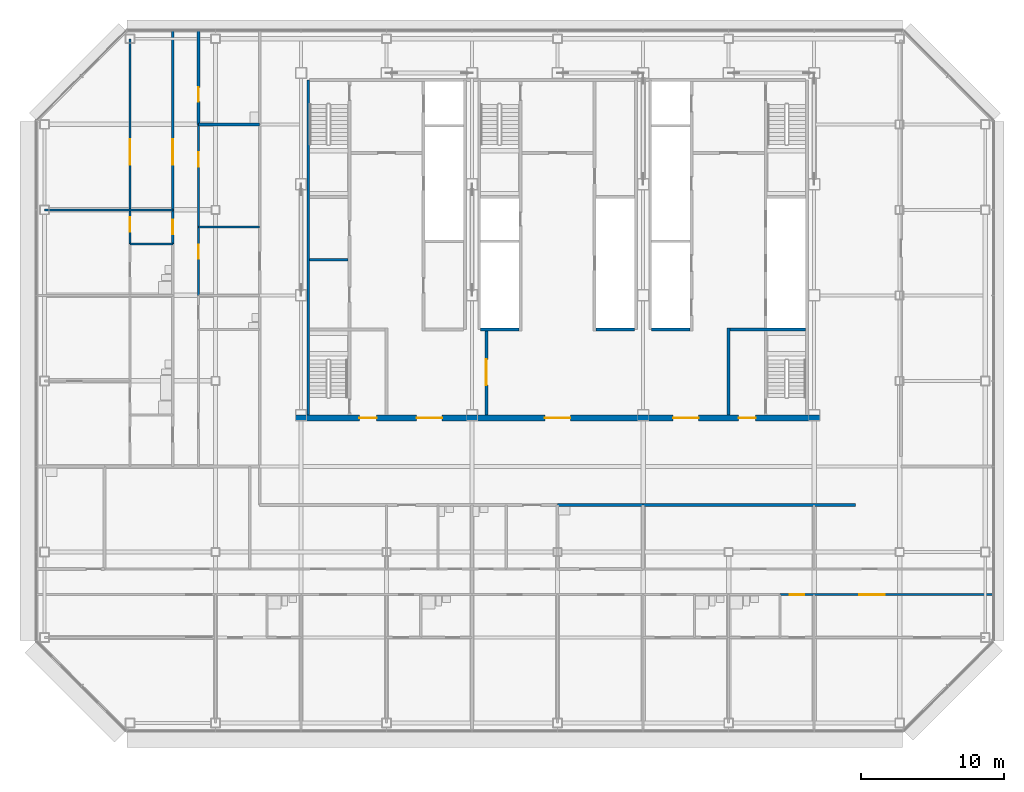
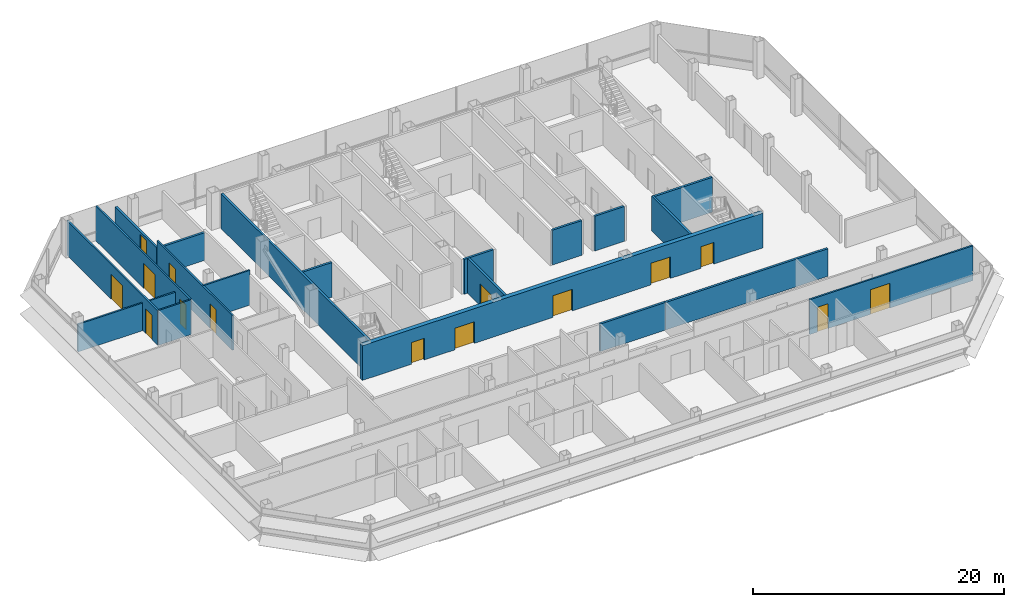
# One storey, part 22 of 27: 20 walls, 15 doors, 15 openings.
"""IFC4 building model written with IfcOpenShell, lengths in metres."""

from ifc_helpers import new_model, si_unit, direction, frame, frame_2d, origin, place, context, subcontext, project, spatial, rectangle, extrude, material, layer, layer_set, type_object, element, fill, save


model = new_model("IFC4")

# Units and contexts
model_context = context("Model", 3, precision=1e-05, world=origin(), true_north=direction((0.0, 1.0)))
body_context = subcontext(model_context, "Body", "Model", "MODEL_VIEW")
ifc_project = project(units=[si_unit("LENGTHUNIT", "METRE"), si_unit("AREAUNIT", "SQUARE_METRE"), si_unit("VOLUMEUNIT", "CUBIC_METRE"), si_unit("PLANEANGLEUNIT", "RADIAN"), si_unit("MASSUNIT", "GRAM", prefix="KILO")], contexts=[model_context])

# Site, building, storey
site_placement = place(None, origin())
site = spatial("IfcSite", under=ifc_project, at=site_placement, CompositionType="ELEMENT")
building_placement = place(site_placement, origin())
building = spatial("IfcBuilding", under=site, at=building_placement, Name="Sorahane Residences", CompositionType="ELEMENT")
storey_placement = place(building_placement, frame((0.0, 0.0, 206.39990234375)))
storey = spatial("IfcBuildingStorey", under=building, at=storey_placement, Name="L48", CompositionType="ELEMENT", Elevation=206.39990234375)

# Walls
ifc_material_1 = material(Name="Concrete C30", Category="concrete")
ifc_layer_1 = layer(ifc_material_1, 0.199951171875)
ifc_layer_set_1 = layer_set([ifc_layer_1], Name="Core face wall 200 EI 180")
wall_type_1 = type_object("IfcWallType", Name="Core face wall 200 EI 180", PredefinedType="SOLIDWALL", material=ifc_layer_set_1)
wall_1_placement = place(storey_placement, frame((6.5, 21.60009765625, 0.0), z_axis=(0.0, 0.0, 1.0), x_axis=(0.0, 1.0, 0.0)))
element("IfcWall", 1, at=wall_1_placement, inside=storey, type_object=wall_type_1, Name="L48 core face wall", PredefinedType="SOLIDWALL", context=body_context, shape_type="SweptSolid", body=[
    extrude(rectangle(XDim=23.5, YDim=0.199951171875, at=frame_2d((11.75, 0.0))), origin(), (0.0, 0.0, 1.0), 3.380126953125),
])
ifc_material_2 = material(Name="Concrete blockwork C20 wall", Category="masonry")
ifc_layer_2 = layer(ifc_material_2, 0.199951171875)
ifc_layer_set_2 = layer_set([ifc_layer_2], Name="Corridor wall 200 EI 120")
wall_type_2 = type_object("IfcWallType", Name="Corridor wall 200 EI 120", PredefinedType="SOLIDWALL", material=ifc_layer_set_2)
wall_2_placement = place(storey_placement, frame((30.0, 15.300048828125, 0.0), z_axis=(0.0, 0.0, 1.0), x_axis=(1.0, 0.0, 0.0)))
element("IfcWall", 2, at=wall_2_placement, inside=storey, type_object=wall_type_2, Name="L48 corridor wall", PredefinedType="SOLIDWALL", context=body_context, shape_type="SweptSolid", body=[
    extrude(rectangle(XDim=14.89990234375, YDim=0.199951171875, at=frame_2d((7.449951171875, 0.0))), origin(), (0.0, 0.0, 1.0), 2.68017578125),
])
ifc_material_3 = material(Name="Concrete C30", Category="concrete")
ifc_layer_3 = layer(ifc_material_3, 0.199951171875)
ifc_layer_set_3 = layer_set([ifc_layer_3], Name="Front room wall 200 EI 120")
wall_type_3 = type_object("IfcWallType", Name="Front room wall 200 EI 120", PredefinedType="PARTITIONING", material=ifc_layer_set_3)
wall_3_placement = place(storey_placement, frame((36.0, 21.60009765625, 0.0), z_axis=(0.0, 0.0, 1.0), x_axis=(0.0, 1.0, 0.0)))
element("IfcWall", 3, at=wall_3_placement, inside=storey, type_object=wall_type_3, Name="L48 front room wall", PredefinedType="PARTITIONING", context=body_context, shape_type="SweptSolid", body=[
    extrude(rectangle(XDim=6.099853515625, YDim=0.199951171875, at=frame_2d((3.0498046875, 0.0))), origin(), (0.0, 0.0, 1.0), 3.380126953125),
])

# Wall, opening, door
ifc_material_4 = material(Name="Concrete blockwork C20 wall", Category="masonry")
ifc_layer_4 = layer(ifc_material_4, 0.199951171875)
ifc_layer_set_4 = layer_set([ifc_layer_4], Name="Kitchen wall 200 EI 180")
wall_type_4 = type_object("IfcWallType", Name="Kitchen wall 200 EI 180", PredefinedType="SOLIDWALL", material=ifc_layer_set_4)
wall_4_placement = place(storey_placement, frame((-1.199951171875, 42.0, 0.0), z_axis=(0.0, 0.0, 1.0), x_axis=(0.0, 1.0, 0.0)))
wall_4 = element("IfcWall", 4, at=wall_4_placement, inside=storey, type_object=wall_type_4, Name="L48 kitchen wall", PredefinedType="SOLIDWALL", context=body_context, shape_type="SweptSolid", body=[
    extrude(rectangle(XDim=6.60009765625, YDim=0.199951171875, at=frame_2d((3.300048828125, 0.0))), origin(), (0.0, 0.0, 1.0), 2.68017578125),
])
opening_1_placement = place(wall_4_placement, frame((1.60009765625, 0.0, 0.0)))
opening_1 = element("IfcOpeningElement", 5, at=opening_1_placement, cuts=wall_4, Name="Opening L48-34", PredefinedType="OPENING", context=body_context, shape_type="SweptSolid", body=[
    extrude(rectangle(XDim=1.0, YDim=2.39990234375, at=frame_2d((0.5, 1.199951171875))), frame((0.0, 0.10986328125, 0.0), z_axis=(0.0, -1.0, 0.0), x_axis=(1.0, 0.0, 0.0)), (0.0, 0.0, 1.0), 0.219970703125),
])
ifc_material_5 = material(Name="Steel", Category="steel")
door_type_1 = type_object("IfcDoorType", Name="Kitchen door 1000x2400 FD120", OperationType="NOTDEFINED", PredefinedType="DOOR", material=ifc_material_5)
door_1_placement = place(opening_1_placement, frame((1.0, 0.0, 0.0), z_axis=(0.0, 0.0, 1.0), x_axis=(-1.0, 0.0, 0.0)))
door_1 = element("IfcDoor", 6, at=door_1_placement, inside=storey, type_object=door_type_1, Name="Kitchen door L48-34", OperationType="SINGLE_SWING_LEFT", OverallHeight=2.39990234375, OverallWidth=1.0, PredefinedType="DOOR", context=body_context, shape_type="SweptSolid", body=[
    extrude(rectangle(XDim=1.0, YDim=2.39990234375, at=frame_2d((0.5, 1.199951171875))), frame((0.0, 0.02490234375, 0.0), z_axis=(0.0, -1.0, 0.0), x_axis=(1.0, 0.0, 0.0)), (0.0, 0.0, 1.0), 0.050048828125),
])
fill(opening_1, door_1)

# Walls
wall_5_placement = place(storey_placement, frame((24.0, 15.300048828125, 0.0), z_axis=(0.0, 0.0, 1.0), x_axis=(1.0, 0.0, 0.0)))
element("IfcWall", 7, at=wall_5_placement, inside=storey, type_object=wall_type_4, Name="L48 kitchen wall", PredefinedType="SOLIDWALL", context=body_context, shape_type="SweptSolid", body=[
    extrude(rectangle(XDim=6.0, YDim=0.199951171875, at=frame_2d((3.0, 0.0))), origin(), (0.0, 0.0, 1.0), 2.68017578125),
])
wall_6_placement = place(storey_placement, frame((-1.199951171875, 42.0, 0.0), z_axis=(0.0, 0.0, 1.0), x_axis=(1.0, 0.0, 0.0)))
element("IfcWall", 8, at=wall_6_placement, inside=storey, type_object=wall_type_4, Name="L48 kitchen wall", PredefinedType="SOLIDWALL", context=body_context, shape_type="SweptSolid", body=[
    extrude(rectangle(XDim=4.300048828125, YDim=0.199951171875, at=frame_2d((2.14990234375, 0.0))), origin(), (0.0, 0.0, 1.0), 2.68017578125),
])
ifc_material_6 = material(Name="Concrete C30", Category="concrete")
ifc_layer_5 = layer(ifc_material_6, 0.199951171875)
ifc_layer_set_5 = layer_set([ifc_layer_5], Name="Lift shaft wall 200 EI 120")
wall_type_5 = type_object("IfcWallType", Name="Lift shaft wall 200 EI 120", PredefinedType="SOLIDWALL", material=ifc_layer_set_5)
for number, where, z_axis, x_axis, name in (
    (9, (18.60009765625, 27.60009765625, 0.0), (0.0, 0.0, 1.0), (1.0, 0.0, 0.0), "L48 lift shaft wall"),
    (10, (30.60009765625, 27.60009765625, 0.0), (0.0, 0.0, 1.0), (1.0, 0.0, 0.0), "L48 lift shaft wall"),
):
    element("IfcWall", number, at=place(storey_placement, frame(where, z_axis=z_axis, x_axis=x_axis)), inside=storey, type_object=wall_type_5, Name=name, PredefinedType="SOLIDWALL", context=body_context, shape_type="SweptSolid", body=[
        extrude(rectangle(XDim=2.699951171875, YDim=0.199951171875, at=frame_2d((1.35009765625, 0.0))), origin(), (0.0, 0.0, 1.0), 3.380126953125),
    ])

# Wall, openings, doors
ifc_material_7 = material(Name="Gypsum board partition on steel studs", Category="steel")
ifc_layer_6 = layer(ifc_material_7, 0.14990234375)
ifc_layer_set_6 = layer_set([ifc_layer_6], Name="Partition 150 EI 90")
wall_type_6 = type_object("IfcWallType", Name="Partition 150 EI 90", PredefinedType="PARTITIONING", material=ifc_layer_set_6)
wall_7_placement = place(storey_placement, frame((-1.199951171875, 30.0, 0.0), z_axis=(0.0, 0.0, 1.0), x_axis=(0.0, 1.0, 0.0)))
wall_7 = element("IfcWall", 11, at=wall_7_placement, inside=storey, type_object=wall_type_6, Name="L48 partition", PredefinedType="PARTITIONING", context=body_context, shape_type="SweptSolid", body=[
    extrude(rectangle(XDim=12.0, YDim=0.14990234375, at=frame_2d((6.0, 0.0))), origin(), (0.0, 0.0, 1.0), 3.380126953125),
])
opening_2_placement = place(wall_7_placement, frame((2.56005859375, 0.0, 0.0)))
opening_2 = element("IfcOpeningElement", 12, at=opening_2_placement, cuts=wall_7, Name="Opening L48-30", PredefinedType="OPENING", context=body_context, shape_type="SweptSolid", body=[
    extrude(rectangle(XDim=1.0, YDim=2.39990234375, at=frame_2d((0.5, 1.199951171875))), frame((0.0, 0.0849609375, 0.0), z_axis=(0.0, -1.0, 0.0), x_axis=(1.0, 0.0, 0.0)), (0.0, 0.0, 1.0), 0.169921875),
])
opening_3_placement = place(wall_7_placement, frame((9.0400390625, 0.0, 0.0)))
opening_3 = element("IfcOpeningElement", 13, at=opening_3_placement, cuts=wall_7, Name="Opening L48-33", PredefinedType="OPENING", context=body_context, shape_type="SweptSolid", body=[
    extrude(rectangle(XDim=1.0, YDim=2.39990234375, at=frame_2d((0.5, 1.199951171875))), frame((0.0, 0.0849609375, 0.0), z_axis=(0.0, -1.0, 0.0), x_axis=(1.0, 0.0, 0.0)), (0.0, 0.0, 1.0), 0.169921875),
])
ifc_material_8 = material(Name="Timber veneered fire door", Category="wood")
door_type_2 = type_object("IfcDoorType", Name="Room door 1000x2400 FD30", OperationType="NOTDEFINED", PredefinedType="DOOR", material=ifc_material_8)
door_2_placement = place(opening_2_placement, origin())
door_2 = element("IfcDoor", 14, at=door_2_placement, inside=storey, type_object=door_type_2, Name="Room door L48-30", OperationType="SINGLE_SWING_LEFT", OverallHeight=2.39990234375, OverallWidth=1.0, PredefinedType="DOOR", context=body_context, shape_type="SweptSolid", body=[
    extrude(rectangle(XDim=1.0, YDim=2.39990234375, at=frame_2d((0.5, 1.199951171875))), frame((0.0, 0.02490234375, 0.0), z_axis=(0.0, -1.0, 0.0), x_axis=(1.0, 0.0, 0.0)), (0.0, 0.0, 1.0), 0.050048828125),
])
fill(opening_2, door_2)
door_3_placement = place(opening_3_placement, frame((1.0, 0.0, 0.0), z_axis=(0.0, 0.0, 1.0), x_axis=(-1.0, 0.0, 0.0)))
door_3 = element("IfcDoor", 15, at=door_3_placement, inside=storey, type_object=door_type_2, Name="Room door L48-33", OperationType="SINGLE_SWING_LEFT", OverallHeight=2.39990234375, OverallWidth=1.0, PredefinedType="DOOR", context=body_context, shape_type="SweptSolid", body=[
    extrude(rectangle(XDim=1.0, YDim=2.39990234375, at=frame_2d((0.5, 1.199951171875))), frame((0.0, 0.02490234375, 0.0), z_axis=(0.0, -1.0, 0.0), x_axis=(1.0, 0.0, 0.0)), (0.0, 0.0, 1.0), 0.050048828125),
])
fill(opening_3, door_3)

wall_8_placement = place(storey_placement, frame((-3.0, 33.60009765625, 0.0), z_axis=(0.0, 0.0, 1.0), x_axis=(0.0, 1.0, 0.0)))
wall_8 = element("IfcWall", 16, at=wall_8_placement, inside=storey, type_object=wall_type_6, Name="L48 partition", PredefinedType="PARTITIONING", context=body_context, shape_type="SweptSolid", body=[
    extrude(rectangle(XDim=15.0, YDim=0.14990234375, at=frame_2d((7.5, 0.0))), origin(), (0.0, 0.0, 1.0), 3.380126953125),
])
opening_4_placement = place(wall_8_placement, frame((0.699951171875, 0.0, 0.0)))
opening_4 = element("IfcOpeningElement", 17, at=opening_4_placement, cuts=wall_8, Name="Opening L48-36", PredefinedType="OPENING", context=body_context, shape_type="SweptSolid", body=[
    extrude(rectangle(XDim=1.0, YDim=2.39990234375, at=frame_2d((0.5, 1.199951171875))), frame((0.0, 0.0849609375, 0.0), z_axis=(0.0, -1.0, 0.0), x_axis=(1.0, 0.0, 0.0)), (0.0, 0.0, 1.0), 0.169921875),
])
opening_5_placement = place(wall_8_placement, frame((5.56005859375, 0.0, 0.0)))
opening_5 = element("IfcOpeningElement", 18, at=opening_5_placement, cuts=wall_8, Name="Opening L48-37", PredefinedType="OPENING", context=body_context, shape_type="SweptSolid", body=[
    extrude(rectangle(XDim=1.800048828125, YDim=2.39990234375, at=frame_2d((0.89990234375, 1.199951171875))), frame((0.0, 0.0849609375, 0.0), z_axis=(0.0, -1.0, 0.0), x_axis=(1.0, 0.0, 0.0)), (0.0, 0.0, 1.0), 0.169921875),
])
ifc_material_9 = material(Name="Timber veneered fire door", Category="wood")
door_type_3 = type_object("IfcDoorType", Name="Double door 1800x2400 FD30", OperationType="NOTDEFINED", PredefinedType="DOOR", material=ifc_material_9)
door_4_placement = place(opening_5_placement, origin())
door_4 = element("IfcDoor", 19, at=door_4_placement, inside=storey, type_object=door_type_3, Name="Double door L48-37", OperationType="SINGLE_SWING_LEFT", OverallHeight=2.39990234375, OverallWidth=1.800048828125, PredefinedType="DOOR", context=body_context, shape_type="SweptSolid", body=[
    extrude(rectangle(XDim=1.800048828125, YDim=2.39990234375, at=frame_2d((0.89990234375, 1.199951171875))), frame((0.0, 0.02490234375, 0.0), z_axis=(0.0, -1.0, 0.0), x_axis=(1.0, 0.0, 0.0)), (0.0, 0.0, 1.0), 0.050048828125),
])
fill(opening_5, door_4)
door_5_placement = place(opening_4_placement, origin())
door_5 = element("IfcDoor", 20, at=door_5_placement, inside=storey, type_object=door_type_2, Name="Room door L48-36", OperationType="SINGLE_SWING_LEFT", OverallHeight=2.39990234375, OverallWidth=1.0, PredefinedType="DOOR", context=body_context, shape_type="SweptSolid", body=[
    extrude(rectangle(XDim=1.0, YDim=2.39990234375, at=frame_2d((0.5, 1.199951171875))), frame((0.0, 0.02490234375, 0.0), z_axis=(0.0, -1.0, 0.0), x_axis=(1.0, 0.0, 0.0)), (0.0, 0.0, 1.0), 0.050048828125),
])
fill(opening_4, door_5)

wall_9_placement = place(storey_placement, frame((-6.0, 33.60009765625, 0.0), z_axis=(0.0, 0.0, 1.0), x_axis=(0.0, 1.0, 0.0)))
wall_9 = element("IfcWall", 21, at=wall_9_placement, inside=storey, type_object=wall_type_6, Name="L48 partition", PredefinedType="PARTITIONING", context=body_context, shape_type="SweptSolid", body=[
    extrude(rectangle(XDim=14.39990234375, YDim=0.14990234375, at=frame_2d((7.199951171875, 0.0))), origin(), (0.0, 0.0, 1.0), 3.380126953125),
])
opening_6_placement = place(wall_9_placement, frame((0.8798828125, 0.0, 0.0)))
opening_6 = element("IfcOpeningElement", 22, at=opening_6_placement, cuts=wall_9, Name="Opening L48-41", PredefinedType="OPENING", context=body_context, shape_type="SweptSolid", body=[
    extrude(rectangle(XDim=1.0, YDim=2.39990234375, at=frame_2d((0.5, 1.199951171875))), frame((0.0, 0.0849609375, 0.0), z_axis=(0.0, -1.0, 0.0), x_axis=(1.0, 0.0, 0.0)), (0.0, 0.0, 1.0), 0.169921875),
])
opening_7_placement = place(wall_9_placement, frame((5.56005859375, 0.0, 0.0)))
opening_7 = element("IfcOpeningElement", 23, at=opening_7_placement, cuts=wall_9, Name="Opening L48-43", PredefinedType="OPENING", context=body_context, shape_type="SweptSolid", body=[
    extrude(rectangle(XDim=1.800048828125, YDim=2.39990234375, at=frame_2d((0.89990234375, 1.199951171875))), frame((0.0, 0.0849609375, 0.0), z_axis=(0.0, -1.0, 0.0), x_axis=(1.0, 0.0, 0.0)), (0.0, 0.0, 1.0), 0.169921875),
])
door_6_placement = place(opening_7_placement, origin())
door_6 = element("IfcDoor", 24, at=door_6_placement, inside=storey, type_object=door_type_3, Name="Double door L48-43", OperationType="SINGLE_SWING_LEFT", OverallHeight=2.39990234375, OverallWidth=1.800048828125, PredefinedType="DOOR", context=body_context, shape_type="SweptSolid", body=[
    extrude(rectangle(XDim=1.800048828125, YDim=2.39990234375, at=frame_2d((0.89990234375, 1.199951171875))), frame((0.0, 0.02490234375, 0.0), z_axis=(0.0, -1.0, 0.0), x_axis=(1.0, 0.0, 0.0)), (0.0, 0.0, 1.0), 0.050048828125),
])
fill(opening_7, door_6)
door_7_placement = place(opening_6_placement, origin())
door_7 = element("IfcDoor", 25, at=door_7_placement, inside=storey, type_object=door_type_2, Name="Room door L48-41", OperationType="SINGLE_SWING_RIGHT", OverallHeight=2.39990234375, OverallWidth=1.0, PredefinedType="DOOR", context=body_context, shape_type="SweptSolid", body=[
    extrude(rectangle(XDim=1.0, YDim=2.39990234375, at=frame_2d((0.5, 1.199951171875))), frame((0.0, 0.02490234375, 0.0), z_axis=(0.0, -1.0, 0.0), x_axis=(1.0, 0.0, 0.0)), (0.0, 0.0, 1.0), 0.050048828125),
])
fill(opening_6, door_7)

# Walls
wall_10_placement = place(storey_placement, frame((-1.199951171875, 34.800048828125, 0.0), z_axis=(0.0, 0.0, 1.0), x_axis=(1.0, 0.0, 0.0)))
element("IfcWall", 26, at=wall_10_placement, inside=storey, type_object=wall_type_6, Name="L48 partition", PredefinedType="PARTITIONING", context=body_context, shape_type="SweptSolid", body=[
    extrude(rectangle(XDim=4.300048828125, YDim=0.14990234375, at=frame_2d((2.14990234375, 0.0))), origin(), (0.0, 0.0, 1.0), 3.380126953125),
])
wall_11_placement = place(storey_placement, frame((-12.0, 36.0, 0.0), z_axis=(0.0, 0.0, 1.0), x_axis=(1.0, 0.0, 0.0)))
element("IfcWall", 27, at=wall_11_placement, inside=storey, type_object=wall_type_6, Name="L48 partition", PredefinedType="PARTITIONING", context=body_context, shape_type="SweptSolid", body=[
    extrude(rectangle(XDim=9.0, YDim=0.14990234375, at=frame_2d((4.5, 0.0))), origin(), (0.0, 0.0, 1.0), 2.68017578125),
])

# Wall, openings, doors
wall_12_placement = place(storey_placement, frame((39.60009765625, 9.0, 0.0), z_axis=(0.0, 0.0, 1.0), x_axis=(1.0, 0.0, 0.0)))
wall_12 = element("IfcWall", 28, at=wall_12_placement, inside=storey, type_object=wall_type_6, Name="L48 partition", PredefinedType="PARTITIONING", context=body_context, shape_type="SweptSolid", body=[
    extrude(rectangle(XDim=15.0, YDim=0.14990234375, at=frame_2d((7.5, 0.0))), origin(), (0.0, 0.0, 1.0), 3.380126953125),
])
opening_8_placement = place(wall_12_placement, frame((0.699951171875, 0.0, 0.0)))
opening_8 = element("IfcOpeningElement", 29, at=opening_8_placement, cuts=wall_12, Name="Opening L48-23", PredefinedType="OPENING", context=body_context, shape_type="SweptSolid", body=[
    extrude(rectangle(XDim=1.0, YDim=2.39990234375, at=frame_2d((0.5, 1.199951171875))), frame((0.0, 0.0849609375, 0.0), z_axis=(0.0, -1.0, 0.0), x_axis=(1.0, 0.0, 0.0)), (0.0, 0.0, 1.0), 0.169921875),
])
opening_9_placement = place(wall_12_placement, frame((5.56005859375, 0.0, 0.0)))
opening_9 = element("IfcOpeningElement", 30, at=opening_9_placement, cuts=wall_12, Name="Opening L48-24", PredefinedType="OPENING", context=body_context, shape_type="SweptSolid", body=[
    extrude(rectangle(XDim=1.800048828125, YDim=2.39990234375, at=frame_2d((0.89990234375, 1.199951171875))), frame((0.0, 0.0849609375, 0.0), z_axis=(0.0, -1.0, 0.0), x_axis=(1.0, 0.0, 0.0)), (0.0, 0.0, 1.0), 0.169921875),
])
door_8_placement = place(opening_9_placement, frame((1.800048828125, 0.0, 0.0), z_axis=(0.0, 0.0, 1.0), x_axis=(-1.0, 0.0, 0.0)))
door_8 = element("IfcDoor", 31, at=door_8_placement, inside=storey, type_object=door_type_3, Name="Double door L48-24", OperationType="SINGLE_SWING_LEFT", OverallHeight=2.39990234375, OverallWidth=1.800048828125, PredefinedType="DOOR", context=body_context, shape_type="SweptSolid", body=[
    extrude(rectangle(XDim=1.800048828125, YDim=2.39990234375, at=frame_2d((0.89990234375, 1.199951171875))), frame((0.0, 0.02490234375, 0.0), z_axis=(0.0, -1.0, 0.0), x_axis=(1.0, 0.0, 0.0)), (0.0, 0.0, 1.0), 0.050048828125),
])
fill(opening_9, door_8)
door_9_placement = place(opening_8_placement, frame((1.0, 0.0, 0.0), z_axis=(0.0, 0.0, 1.0), x_axis=(-1.0, 0.0, 0.0)))
door_9 = element("IfcDoor", 32, at=door_9_placement, inside=storey, type_object=door_type_2, Name="Room door L48-23", OperationType="SINGLE_SWING_LEFT", OverallHeight=2.39990234375, OverallWidth=1.0, PredefinedType="DOOR", context=body_context, shape_type="SweptSolid", body=[
    extrude(rectangle(XDim=1.0, YDim=2.39990234375, at=frame_2d((0.5, 1.199951171875))), frame((0.0, 0.02490234375, 0.0), z_axis=(0.0, -1.0, 0.0), x_axis=(1.0, 0.0, 0.0)), (0.0, 0.0, 1.0), 0.050048828125),
])
fill(opening_8, door_9)

# Wall
ifc_material_10 = material(Name="Concrete C30", Category="concrete")
ifc_layer_7 = layer(ifc_material_10, 0.199951171875)
ifc_layer_set_7 = layer_set([ifc_layer_7], Name="Riser shaft wall 200 EI 120")
wall_type_7 = type_object("IfcWallType", Name="Riser shaft wall 200 EI 120", PredefinedType="SOLIDWALL", material=ifc_layer_set_7)
wall_13_placement = place(storey_placement, frame((26.699951171875, 27.60009765625, 0.0), z_axis=(0.0, 0.0, 1.0), x_axis=(1.0, 0.0, 0.0)))
element("IfcWall", 33, at=wall_13_placement, inside=storey, type_object=wall_type_7, Name="L48 riser wall", PredefinedType="SOLIDWALL", context=body_context, shape_type="SweptSolid", body=[
    extrude(rectangle(XDim=2.699951171875, YDim=0.199951171875, at=frame_2d((1.35009765625, 0.0))), origin(), (0.0, 0.0, 1.0), 3.380126953125),
])

# Wall, opening, door
ifc_material_11 = material(Name="Concrete C30", Category="concrete")
ifc_layer_8 = layer(ifc_material_11, 0.199951171875)
ifc_layer_set_8 = layer_set([ifc_layer_8], Name="Service room partition 200 EI 60")
wall_type_8 = type_object("IfcWallType", Name="Service room partition 200 EI 60", PredefinedType="PARTITIONING", material=ifc_layer_set_8)
wall_14_placement = place(storey_placement, frame((19.0, 21.60009765625, 0.0), z_axis=(0.0, 0.0, 1.0), x_axis=(0.0, 1.0, 0.0)))
wall_14 = element("IfcWall", 34, at=wall_14_placement, inside=storey, type_object=wall_type_8, Name="L48 service room wall", PredefinedType="PARTITIONING", context=body_context, shape_type="SweptSolid", body=[
    extrude(rectangle(XDim=6.0, YDim=0.199951171875, at=frame_2d((3.0, 0.0))), origin(), (0.0, 0.0, 1.0), 3.380126953125),
])
opening_10_placement = place(wall_14_placement, frame((2.10009765625, 0.0, 0.0)))
opening_10 = element("IfcOpeningElement", 35, at=opening_10_placement, cuts=wall_14, Name="Opening L48-C02", PredefinedType="OPENING", context=body_context, shape_type="SweptSolid", body=[
    extrude(rectangle(XDim=1.800048828125, YDim=2.10009765625, at=frame_2d((0.89990234375, 1.050048828125))), frame((0.0, 0.10986328125, 0.0), z_axis=(0.0, -1.0, 0.0), x_axis=(1.0, 0.0, 0.0)), (0.0, 0.0, 1.0), 0.219970703125),
])
ifc_material_12 = material(Name="Steel", Category="steel")
door_type_4 = type_object("IfcDoorType", Name="Waiting hall door 1800x2100 FD60", OperationType="NOTDEFINED", PredefinedType="DOOR", material=ifc_material_12)
door_10_placement = place(opening_10_placement, origin())
door_10 = element("IfcDoor", 36, at=door_10_placement, inside=storey, type_object=door_type_4, Name="Waiting hall door Residents' waiting hall west L48", OperationType="SINGLE_SWING_LEFT", OverallHeight=2.10009765625, OverallWidth=1.800048828125, PredefinedType="DOOR", context=body_context, shape_type="SweptSolid", body=[
    extrude(rectangle(XDim=1.800048828125, YDim=2.10009765625, at=frame_2d((0.89990234375, 1.050048828125))), frame((0.0, 0.02490234375, 0.0), z_axis=(0.0, -1.0, 0.0), x_axis=(1.0, 0.0, 0.0)), (0.0, 0.0, 1.0), 0.050048828125),
])
fill(opening_10, door_10)

# Walls
wall_15_placement = place(storey_placement, frame((6.60009765625, 32.5, 0.0), z_axis=(0.0, 0.0, 1.0), x_axis=(1.0, 0.0, 0.0)))
element("IfcWall", 37, at=wall_15_placement, inside=storey, type_object=wall_type_8, Name="L48 service room wall", PredefinedType="PARTITIONING", context=body_context, shape_type="SweptSolid", body=[
    extrude(rectangle(XDim=2.699951171875, YDim=0.199951171875, at=frame_2d((1.35009765625, 0.0))), origin(), (0.0, 0.0, 1.0), 3.380126953125),
])
ifc_material_13 = material(Name="Concrete C30", Category="concrete")
ifc_layer_9 = layer(ifc_material_13, 0.199951171875)
ifc_layer_set_9 = layer_set([ifc_layer_9], Name="Stair enclosure wall 200 EI 120")
wall_type_9 = type_object("IfcWallType", Name="Stair enclosure wall 200 EI 120", PredefinedType="SOLIDWALL", material=ifc_layer_set_9)
wall_16_placement = place(storey_placement, frame((36.10009765625, 27.60009765625, 0.0), z_axis=(0.0, 0.0, 1.0), x_axis=(1.0, 0.0, 0.0)))
element("IfcWall", 38, at=wall_16_placement, inside=storey, type_object=wall_type_9, Name="L48 stair enclosure wall", PredefinedType="SOLIDWALL", context=body_context, shape_type="SweptSolid", body=[
    extrude(rectangle(XDim=5.2998046875, YDim=0.199951171875, at=frame_2d((2.64990234375, 0.0))), origin(), (0.0, 0.0, 1.0), 3.380126953125),
])

# Wall, openings, doors
ifc_material_14 = material(Name="Concrete C30", Category="concrete")
ifc_layer_10 = layer(ifc_material_14, 0.39990234375)
ifc_layer_set_10 = layer_set([ifc_layer_10], Name="Waiting hall wall 400 EI 120")
wall_type_10 = type_object("IfcWallType", Name="Waiting hall wall 400 EI 120", PredefinedType="SOLIDWALL", material=ifc_layer_set_10)
wall_17_placement = place(storey_placement, frame((5.60009765625, 21.39990234375, 0.0), z_axis=(0.0, 0.0, 1.0), x_axis=(1.0, 0.0, 0.0)))
wall_17 = element("IfcWall", 39, at=wall_17_placement, inside=storey, type_object=wall_type_10, Name="L48 waiting hall wall", PredefinedType="SOLIDWALL", context=body_context, shape_type="SweptSolid", body=[
    extrude(rectangle(XDim=36.7998046875, YDim=0.39990234375, at=frame_2d((18.39990234375, 0.0))), origin(), (0.0, 0.0, 1.0), 3.380126953125),
])
opening_11_placement = place(wall_17_placement, frame((8.5, 0.0, 0.0)))
opening_11 = element("IfcOpeningElement", 40, at=opening_11_placement, cuts=wall_17, Name="Opening L48-C01", PredefinedType="OPENING", context=body_context, shape_type="SweptSolid", body=[
    extrude(rectangle(XDim=1.800048828125, YDim=2.10009765625, at=frame_2d((0.89990234375, 1.050048828125))), frame((0.0, 0.2099609375, 0.0), z_axis=(0.0, -1.0, 0.0), x_axis=(1.0, 0.0, 0.0)), (0.0, 0.0, 1.0), 0.419921875),
])
opening_12_placement = place(wall_17_placement, frame((17.5, 0.0, 0.0)))
opening_12 = element("IfcOpeningElement", 41, at=opening_12_placement, cuts=wall_17, Name="Opening L48-C03", PredefinedType="OPENING", context=body_context, shape_type="SweptSolid", body=[
    extrude(rectangle(XDim=1.800048828125, YDim=2.10009765625, at=frame_2d((0.89990234375, 1.050048828125))), frame((0.0, 0.2099609375, 0.0), z_axis=(0.0, -1.0, 0.0), x_axis=(1.0, 0.0, 0.0)), (0.0, 0.0, 1.0), 0.419921875),
])
opening_13_placement = place(wall_17_placement, frame((26.5, 0.0, 0.0)))
opening_13 = element("IfcOpeningElement", 42, at=opening_13_placement, cuts=wall_17, Name="Opening L48-C04", PredefinedType="OPENING", context=body_context, shape_type="SweptSolid", body=[
    extrude(rectangle(XDim=1.800048828125, YDim=2.10009765625, at=frame_2d((0.89990234375, 1.050048828125))), frame((0.0, 0.2099609375, 0.0), z_axis=(0.0, -1.0, 0.0), x_axis=(1.0, 0.0, 0.0)), (0.0, 0.0, 1.0), 0.419921875),
])
opening_14_placement = place(wall_17_placement, frame((4.5, 0.0, 0.0)))
opening_14 = element("IfcOpeningElement", 43, at=opening_14_placement, cuts=wall_17, Name="Opening L48-C05", PredefinedType="OPENING", context=body_context, shape_type="SweptSolid", body=[
    extrude(rectangle(XDim=1.199951171875, YDim=2.10009765625, at=frame_2d((0.60009765625, 1.050048828125))), frame((0.0, 0.2099609375, 0.0), z_axis=(0.0, -1.0, 0.0), x_axis=(1.0, 0.0, 0.0)), (0.0, 0.0, 1.0), 0.419921875),
])
opening_15_placement = place(wall_17_placement, frame((31.10009765625, 0.0, 0.0)))
opening_15 = element("IfcOpeningElement", 44, at=opening_15_placement, cuts=wall_17, Name="Opening L48-C06", PredefinedType="OPENING", context=body_context, shape_type="SweptSolid", body=[
    extrude(rectangle(XDim=1.199951171875, YDim=2.10009765625, at=frame_2d((0.60009765625, 1.050048828125))), frame((0.0, 0.2099609375, 0.0), z_axis=(0.0, -1.0, 0.0), x_axis=(1.0, 0.0, 0.0)), (0.0, 0.0, 1.0), 0.419921875),
])
ifc_material_15 = material(Name="Steel", Category="steel")
door_type_5 = type_object("IfcDoorType", Name="Stair front room door 1200x2100 FD120", OperationType="NOTDEFINED", PredefinedType="DOOR", material=ifc_material_15)
door_11_placement = place(opening_14_placement, frame((1.199951171875, 0.0, 0.0), z_axis=(0.0, 0.0, 1.0), x_axis=(-1.0, 0.0, 0.0)))
door_11 = element("IfcDoor", 45, at=door_11_placement, inside=storey, type_object=door_type_5, Name="Stair front room door Stair S4 front room L48", OperationType="SINGLE_SWING_LEFT", OverallHeight=2.10009765625, OverallWidth=1.199951171875, PredefinedType="DOOR", context=body_context, shape_type="SweptSolid", body=[
    extrude(rectangle(XDim=1.199951171875, YDim=2.10009765625, at=frame_2d((0.60009765625, 1.050048828125))), frame((0.0, 0.02490234375, 0.0), z_axis=(0.0, -1.0, 0.0), x_axis=(1.0, 0.0, 0.0)), (0.0, 0.0, 1.0), 0.050048828125),
])
fill(opening_14, door_11)
door_12_placement = place(opening_15_placement, frame((1.199951171875, 0.0, 0.0), z_axis=(0.0, 0.0, 1.0), x_axis=(-1.0, 0.0, 0.0)))
door_12 = element("IfcDoor", 46, at=door_12_placement, inside=storey, type_object=door_type_5, Name="Stair front room door Stair S5 front room L48", OperationType="SINGLE_SWING_LEFT", OverallHeight=2.10009765625, OverallWidth=1.199951171875, PredefinedType="DOOR", context=body_context, shape_type="SweptSolid", body=[
    extrude(rectangle(XDim=1.199951171875, YDim=2.10009765625, at=frame_2d((0.60009765625, 1.050048828125))), frame((0.0, 0.02490234375, 0.0), z_axis=(0.0, -1.0, 0.0), x_axis=(1.0, 0.0, 0.0)), (0.0, 0.0, 1.0), 0.050048828125),
])
fill(opening_15, door_12)
door_13_placement = place(opening_11_placement, frame((1.800048828125, 0.0, 0.0), z_axis=(0.0, 0.0, 1.0), x_axis=(-1.0, 0.0, 0.0)))
door_13 = element("IfcDoor", 47, at=door_13_placement, inside=storey, type_object=door_type_4, Name="Waiting hall door Residents' waiting hall west L48", OperationType="SINGLE_SWING_LEFT", OverallHeight=2.10009765625, OverallWidth=1.800048828125, PredefinedType="DOOR", context=body_context, shape_type="SweptSolid", body=[
    extrude(rectangle(XDim=1.800048828125, YDim=2.10009765625, at=frame_2d((0.89990234375, 1.050048828125))), frame((0.0, 0.02490234375, 0.0), z_axis=(0.0, -1.0, 0.0), x_axis=(1.0, 0.0, 0.0)), (0.0, 0.0, 1.0), 0.050048828125),
])
fill(opening_11, door_13)
door_14_placement = place(opening_12_placement, frame((1.800048828125, 0.0, 0.0), z_axis=(0.0, 0.0, 1.0), x_axis=(-1.0, 0.0, 0.0)))
door_14 = element("IfcDoor", 48, at=door_14_placement, inside=storey, type_object=door_type_4, Name="Waiting hall door Residents' waiting hall east L48", OperationType="SINGLE_SWING_LEFT", OverallHeight=2.10009765625, OverallWidth=1.800048828125, PredefinedType="DOOR", context=body_context, shape_type="SweptSolid", body=[
    extrude(rectangle(XDim=1.800048828125, YDim=2.10009765625, at=frame_2d((0.89990234375, 1.050048828125))), frame((0.0, 0.02490234375, 0.0), z_axis=(0.0, -1.0, 0.0), x_axis=(1.0, 0.0, 0.0)), (0.0, 0.0, 1.0), 0.050048828125),
])
fill(opening_12, door_14)
door_15_placement = place(opening_13_placement, frame((1.800048828125, 0.0, 0.0), z_axis=(0.0, 0.0, 1.0), x_axis=(-1.0, 0.0, 0.0)))
door_15 = element("IfcDoor", 49, at=door_15_placement, inside=storey, type_object=door_type_4, Name="Waiting hall door Residents' waiting hall east L48", OperationType="SINGLE_SWING_LEFT", OverallHeight=2.10009765625, OverallWidth=1.800048828125, PredefinedType="DOOR", context=body_context, shape_type="SweptSolid", body=[
    extrude(rectangle(XDim=1.800048828125, YDim=2.10009765625, at=frame_2d((0.89990234375, 1.050048828125))), frame((0.0, 0.02490234375, 0.0), z_axis=(0.0, -1.0, 0.0), x_axis=(1.0, 0.0, 0.0)), (0.0, 0.0, 1.0), 0.050048828125),
])
fill(opening_13, door_15)

# Wall
ifc_material_16 = material(Name="Gypsum board partition on steel studs", Category="steel")
ifc_layer_11 = layer(ifc_material_16, 0.14990234375)
ifc_layer_set_11 = layer_set([ifc_layer_11], Name="Wet wall 150 EI 90")
wall_type_11 = type_object("IfcWallType", Name="Wet wall 150 EI 90", PredefinedType="PARTITIONING", material=ifc_layer_set_11)
wall_18_placement = place(storey_placement, frame((-6.0, 33.60009765625, 0.0), z_axis=(0.0, 0.0, 1.0), x_axis=(1.0, 0.0, 0.0)))
element("IfcWall", 50, at=wall_18_placement, inside=storey, type_object=wall_type_11, Name="L48 wet wall", PredefinedType="PARTITIONING", context=body_context, shape_type="SweptSolid", body=[
    extrude(rectangle(XDim=3.0, YDim=0.14990234375, at=frame_2d((1.5, 0.0))), origin(), (0.0, 0.0, 1.0), 3.380126953125),
])

save(model, "model.ifc")
